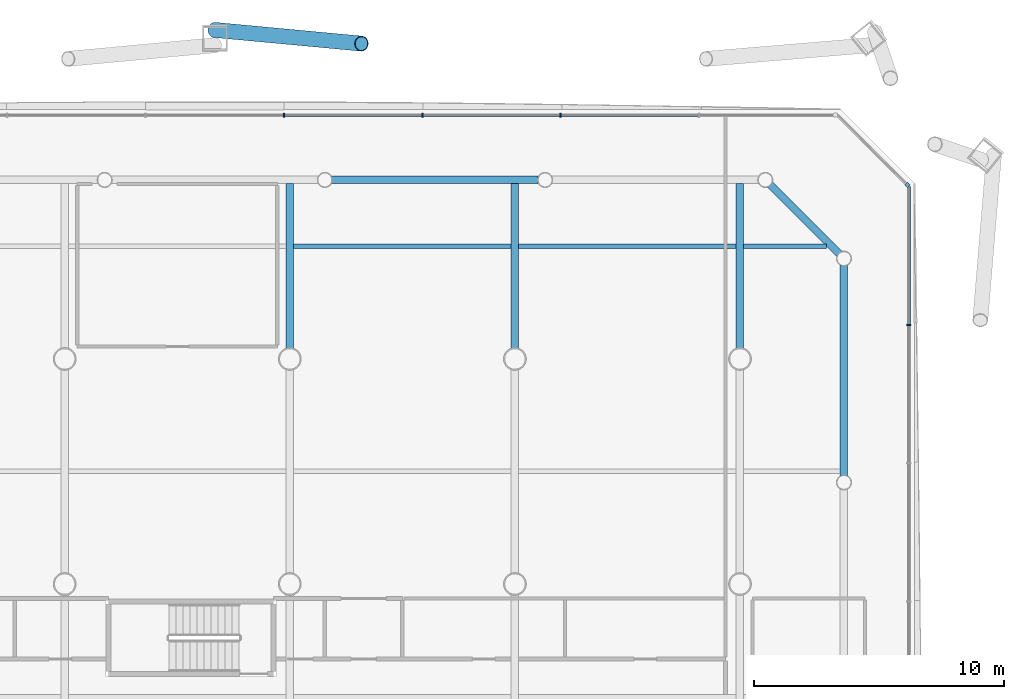
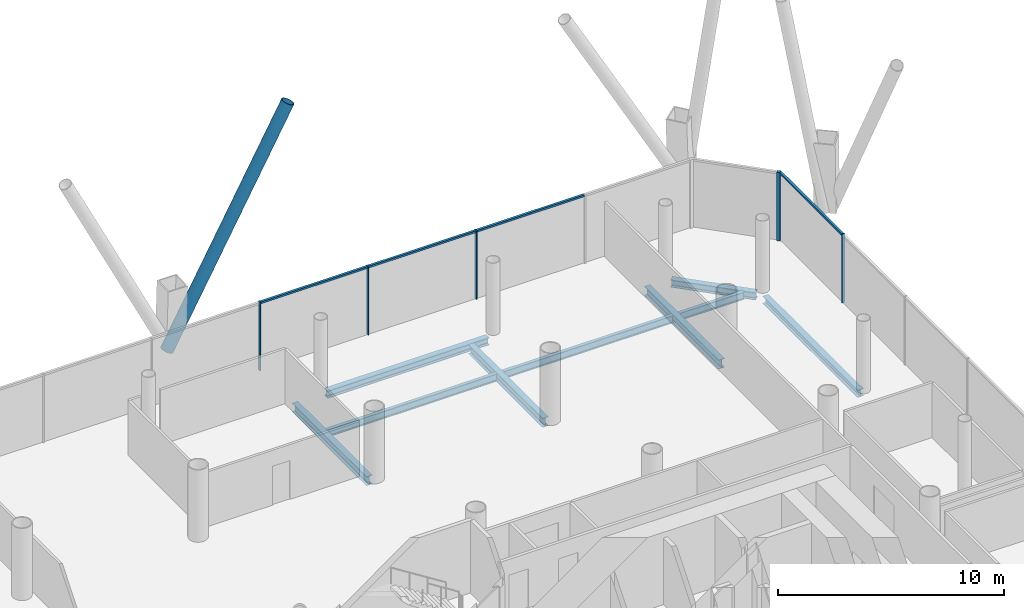
# One storey, part 14 of 25: 10 members, 9 beams, 3 elements without a shape of their own.
"""IFC4 building model written with IfcOpenShell, lengths in metres."""

from ifc_helpers import new_model, si_unit, direction, frame, origin, origin_2d, place, context, subcontext, project, spatial, rectangle, hollow_circle, i_section, extrude, material, material_profile, profile_set, type_object, element, aggregate, save


model = new_model("IFC4")

# Units and contexts
model_context = context("Model", 3, precision=1e-05, world=origin(), true_north=direction((0.0, 1.0)))
body_context = subcontext(model_context, "Body", "Model", "MODEL_VIEW")
ifc_project = project(units=[si_unit("LENGTHUNIT", "METRE"), si_unit("AREAUNIT", "SQUARE_METRE"), si_unit("VOLUMEUNIT", "CUBIC_METRE"), si_unit("PLANEANGLEUNIT", "RADIAN"), si_unit("MASSUNIT", "GRAM", prefix="KILO")], contexts=[model_context])

# Site, building, storey
site_placement = place(None, origin())
site = spatial("IfcSite", under=ifc_project, at=site_placement, CompositionType="ELEMENT")
building_placement = place(site_placement, origin())
building = spatial("IfcBuilding", under=site, at=building_placement, Name="Tskaro Facet Tower", CompositionType="ELEMENT")
storey_placement = place(building_placement, frame((0.0, 0.0, 10.800048828125)))
storey = spatial("IfcBuildingStorey", under=building, at=storey_placement, Name="L01", CompositionType="ELEMENT", Elevation=10.800048828125)

# Member
ifc_material_1 = material(Name="Steel S355J2H", Category="steel")
ifc_material_profile_1 = material_profile(ifc_material_1, hollow_circle(Radius=0.304931640625, WallThickness=0.030029296875, at=origin_2d()), Name="CHS 610x30")
ifc_profile_set_1 = profile_set([ifc_material_profile_1], Name="Steel S355J2H")
member_type_1 = type_object("IfcMemberType", Name="CHS 610x30 brace", PredefinedType="BRACE", material=ifc_profile_set_1)
member_1_placement = place(storey_placement, frame((-3.0, 31.155029296875, 0.0), z_axis=(0.447783743865, -0.041822472373, 0.893163254693), x_axis=(0.092994089186, 0.995666660774, 0.0)))
element("IfcMember", 1, at=member_1_placement, inside=storey, type_object=member_type_1, Name="CHS 610x30 XB07B/1", PredefinedType="BRACE", context=body_context, shape_type="SweptSolid", body=[
    extrude(hollow_circle(Radius=0.304931640625, WallThickness=0.030029296875, at=origin_2d()), origin(), (0.0, 0.0, 1.0), 13.099365234375),
])

# Curtain wall, member
ifc_material_2 = material(Name="Bronze anodised aluminium 6063-T6", Category="aluminium")
curtain_wall_type = type_object("IfcCurtainWallType", Name="Bronze office curtain wall (FW1)", PredefinedType="NOTDEFINED", material=ifc_material_2)
curtain_wall_1_placement = place(storey_placement, origin())
curtain_wall_1 = element("IfcCurtainWall", 2, at=curtain_wall_1_placement, inside=storey, type_object=curtain_wall_type, Name="FW1 north-east facet L01", PredefinedType="NOTDEFINED")
ifc_material_profile_2 = material_profile(ifc_material_2, rectangle(XDim=0.159912109375, YDim=0.159912109375, at=origin_2d()), Name="Corner post 160x160")
ifc_profile_set_2 = profile_set([ifc_material_profile_2], Name="Bronze anodised aluminium 6063-T6")
member_type_2 = type_object("IfcMemberType", Name="FW1 bronze corner post 160x160", PredefinedType="MULLION", material=ifc_profile_set_2)
member_2_placement = place(storey_placement, frame((24.693359375, 24.95263671875, 0.0), z_axis=(0.0, 0.0, 1.0), x_axis=(-0.707106781187, 0.707106781187, 0.0)))
member_2 = element("IfcMember", 3, at=member_2_placement, type_object=member_type_2, Name="FW1 north-east corner post", PredefinedType="MULLION", context=body_context, shape_type="SweptSolid", body=[
    extrude(rectangle(XDim=0.159912109375, YDim=0.159912109375, at=origin_2d()), origin(), (0.0, 0.0, 1.0), 3.699951171875),
])
aggregate(curtain_wall_1, [member_2])

curtain_wall_2_placement = place(storey_placement, origin())
curtain_wall_2 = element("IfcCurtainWall", 4, at=curtain_wall_2_placement, inside=storey, type_object=curtain_wall_type, Name="FW1 east facet L01", PredefinedType="NOTDEFINED")
ifc_material_profile_3 = material_profile(ifc_material_2, rectangle(XDim=0.06005859375, YDim=0.159912109375, at=origin_2d()), Name="Mullion 60x160")
ifc_profile_set_3 = profile_set([ifc_material_profile_3], Name="Bronze anodised aluminium 6063-T6")
member_type_3 = type_object("IfcMemberType", Name="FW1 bronze mullion 60x160", PredefinedType="MULLION", material=ifc_profile_set_3)
member_3_placement = place(storey_placement, frame((24.75, 19.363525390625, 0.0), z_axis=(0.0, 0.0, 1.0), x_axis=(0.0, 1.0, 0.0)))
member_3 = element("IfcMember", 5, at=member_3_placement, type_object=member_type_3, Name="FW1 east mullion 8", PredefinedType="MULLION", context=body_context, shape_type="SweptSolid", body=[
    extrude(rectangle(XDim=0.06005859375, YDim=0.159912109375, at=origin_2d()), origin(), (0.0, 0.0, 1.0), 3.699951171875),
])

# Curtain wall, members
curtain_wall_3_placement = place(storey_placement, origin())
curtain_wall_3 = element("IfcCurtainWall", 6, at=curtain_wall_3_placement, inside=storey, type_object=curtain_wall_type, Name="FW1 north facet L01", PredefinedType="NOTDEFINED")
member_4_placement = place(storey_placement, frame((10.8310546875, 27.75, 0.0), z_axis=(0.0, 0.0, 1.0), x_axis=(-1.0, 0.0, 0.0)))
member_4 = element("IfcMember", 7, at=member_4_placement, type_object=member_type_3, Name="FW1 north mullion 2", PredefinedType="MULLION", context=body_context, shape_type="SweptSolid", body=[
    extrude(rectangle(XDim=0.06005859375, YDim=0.159912109375, at=origin_2d()), origin(), (0.0, 0.0, 1.0), 3.699951171875),
])
member_5_placement = place(storey_placement, frame((5.298583984375, 27.75, 0.0), z_axis=(0.0, 0.0, 1.0), x_axis=(-1.0, 0.0, 0.0)))
member_5 = element("IfcMember", 8, at=member_5_placement, type_object=member_type_3, Name="FW1 north mullion 3", PredefinedType="MULLION", context=body_context, shape_type="SweptSolid", body=[
    extrude(rectangle(XDim=0.06005859375, YDim=0.159912109375, at=origin_2d()), origin(), (0.0, 0.0, 1.0), 3.699951171875),
])
member_6_placement = place(storey_placement, frame((-0.23388671875, 27.75, 0.0), z_axis=(0.0, 0.0, 1.0), x_axis=(-1.0, 0.0, 0.0)))
member_6 = element("IfcMember", 9, at=member_6_placement, type_object=member_type_3, Name="FW1 north mullion 4", PredefinedType="MULLION", context=body_context, shape_type="SweptSolid", body=[
    extrude(rectangle(XDim=0.06005859375, YDim=0.159912109375, at=origin_2d()), origin(), (0.0, 0.0, 1.0), 3.699951171875),
])

# Member
ifc_material_profile_4 = material_profile(ifc_material_2, rectangle(XDim=0.1201171875, YDim=0.10009765625, at=origin_2d()), Name="Transom 120x100")
ifc_profile_set_4 = profile_set([ifc_material_profile_4], Name="Bronze anodised aluminium 6063-T6")
member_type_4 = type_object("IfcMemberType", Name="FW1 bronze transom 120x100", PredefinedType="USERDEFINED", material=ifc_profile_set_4)
member_7_placement = place(storey_placement, frame((24.75, 19.3935546875, 3.64990234375), z_axis=(0.0, 1.0, 0.0), x_axis=(-1.0, 0.0, 0.0)))
member_7 = element("IfcMember", 10, at=member_7_placement, type_object=member_type_4, Name="FW1 east transom 9.1", ObjectType="TRANSOM", PredefinedType="USERDEFINED", context=body_context, shape_type="SweptSolid", body=[
    extrude(rectangle(XDim=0.1201171875, YDim=0.10009765625, at=origin_2d()), origin(), (0.0, 0.0, 1.0), 5.50244140625),
])

aggregate(curtain_wall_2, [member_3, member_7])

member_8_placement = place(storey_placement, frame((16.33349609375, 27.75, 3.64990234375), z_axis=(-1.0, 0.0, 0.0), x_axis=(0.0, -1.0, 0.0)))
member_8 = element("IfcMember", 11, at=member_8_placement, type_object=member_type_4, Name="FW1 north transom 2.1", ObjectType="TRANSOM", PredefinedType="USERDEFINED", context=body_context, shape_type="SweptSolid", body=[
    extrude(rectangle(XDim=0.1201171875, YDim=0.10009765625, at=origin_2d()), origin(), (0.0, 0.0, 1.0), 5.472412109375),
])

member_9_placement = place(storey_placement, frame((10.801025390625, 27.75, 3.64990234375), z_axis=(-1.0, 0.0, 0.0), x_axis=(0.0, -1.0, 0.0)))
member_9 = element("IfcMember", 12, at=member_9_placement, type_object=member_type_4, Name="FW1 north transom 3.1", ObjectType="TRANSOM", PredefinedType="USERDEFINED", context=body_context, shape_type="SweptSolid", body=[
    extrude(rectangle(XDim=0.1201171875, YDim=0.10009765625, at=origin_2d()), origin(), (0.0, 0.0, 1.0), 5.472412109375),
])

member_10_placement = place(storey_placement, frame((5.2685546875, 27.75, 3.64990234375), z_axis=(-1.0, 0.0, 0.0), x_axis=(0.0, -1.0, 0.0)))
member_10 = element("IfcMember", 13, at=member_10_placement, type_object=member_type_4, Name="FW1 north transom 4.1", ObjectType="TRANSOM", PredefinedType="USERDEFINED", context=body_context, shape_type="SweptSolid", body=[
    extrude(rectangle(XDim=0.1201171875, YDim=0.10009765625, at=origin_2d()), origin(), (0.0, 0.0, 1.0), 5.472412109375),
])

aggregate(curtain_wall_3, [member_4, member_5, member_6, member_8, member_9, member_10])

# Beams
ifc_material_3 = material(Name="Steel S355J2", Category="steel")
ifc_material_profile_5 = material_profile(ifc_material_3, i_section(OverallWidth=0.300048828125, OverallDepth=0.39990234375, WebThickness=0.013427734375, FlangeThickness=0.02392578125, FilletRadius=0.027099609375, at=origin_2d()), Name="HE 400 B")
ifc_profile_set_5 = profile_set([ifc_material_profile_5], Name="Steel S355J2")
beam_type_1 = type_object("IfcBeamType", Name="HE 400 B ring beam", PredefinedType="BEAM", material=ifc_profile_set_5)
beam_1_placement = place(storey_placement, frame((22.156982421875, 13.339111328125, -0.340087890625), z_axis=(0.0, 1.0, 0.0), x_axis=(-1.0, 0.0, 0.0)))
element("IfcBeam", 14, at=beam_1_placement, inside=storey, type_object=beam_type_1, Name="HE 400 B EB12-1", PredefinedType="BEAM", context=body_context, shape_type="SweptSolid", body=[
    extrude(i_section(OverallWidth=0.300048828125, OverallDepth=0.39990234375, WebThickness=0.013427734375, FlangeThickness=0.02392578125, FilletRadius=0.027099609375, at=origin_2d()), origin(), (0.0, 0.0, 1.0), 8.39794921875),
])
beam_2_placement = place(storey_placement, frame((21.962646484375, 22.20654296875, -0.340087890625), z_axis=(-0.707106781187, 0.707106781187, 0.0), x_axis=(-0.707106781187, -0.707106781187, 0.0)))
element("IfcBeam", 15, at=beam_2_placement, inside=storey, type_object=beam_type_1, Name="HE 400 B EB13-1", PredefinedType="BEAM", context=body_context, shape_type="SweptSolid", body=[
    extrude(i_section(OverallWidth=0.300048828125, OverallDepth=0.39990234375, WebThickness=0.013427734375, FlangeThickness=0.02392578125, FilletRadius=0.027099609375, at=origin_2d()), origin(), (0.0, 0.0, 1.0), 3.897705078125),
])
beam_3_placement = place(storey_placement, frame((9.931884765625, 25.156982421875, -0.340087890625), z_axis=(-1.0, 0.0, 0.0), x_axis=(0.0, -1.0, 0.0)))
element("IfcBeam", 16, at=beam_3_placement, inside=storey, type_object=beam_type_1, Name="HE 400 B EB15-1", PredefinedType="BEAM", context=body_context, shape_type="SweptSolid", body=[
    extrude(i_section(OverallWidth=0.300048828125, OverallDepth=0.39990234375, WebThickness=0.013427734375, FlangeThickness=0.02392578125, FilletRadius=0.027099609375, at=origin_2d()), origin(), (0.0, 0.0, 1.0), 8.2548828125),
])
ifc_material_profile_6 = material_profile(ifc_material_3, i_section(OverallWidth=0.300048828125, OverallDepth=0.489990234375, WebThickness=0.011962890625, FlangeThickness=0.02294921875, FilletRadius=0.027099609375, at=origin_2d()), Name="HE 500 A")
ifc_profile_set_6 = profile_set([ifc_material_profile_6], Name="Steel S355J2")
beam_type_2 = type_object("IfcBeamType", Name="HE 500 A girder", PredefinedType="BEAM", material=ifc_profile_set_6)
for number, where, z_axis, x_axis, name in (
    (17, (0.0, 18.42724609375, -0.385009765625), (0.0, 1.0, 0.0), (-1.0, 0.0, 0.0), "HE 500 A GB4-5-1"),
    (18, (9.0, 18.42724609375, -0.385009765625), (0.0, 1.0, 0.0), (-1.0, 0.0, 0.0), "HE 500 A GB5-5-1"),
    (19, (18.0, 18.42724609375, -0.385009765625), (0.0, 1.0, 0.0), (-1.0, 0.0, 0.0), "HE 500 A GB6-6-1"),
):
    element("IfcBeam", number, at=place(storey_placement, frame(where, z_axis=z_axis, x_axis=x_axis)), inside=storey, type_object=beam_type_2, Name=name, PredefinedType="BEAM", context=body_context, shape_type="SweptSolid", body=[
        extrude(i_section(OverallWidth=0.300048828125, OverallDepth=0.489990234375, WebThickness=0.011962890625, FlangeThickness=0.02294921875, FilletRadius=0.027099609375, at=origin_2d()), origin(), (0.0, 0.0, 1.0), 6.579833984375),
    ])
ifc_material_profile_7 = material_profile(ifc_material_3, i_section(OverallWidth=0.179931640625, OverallDepth=0.39990234375, WebThickness=0.008544921875, FlangeThickness=0.013427734375, FilletRadius=0.02099609375, at=origin_2d()), Name="IPE 400")
ifc_profile_set_7 = profile_set([ifc_material_profile_7], Name="Steel S355J2")
beam_type_3 = type_object("IfcBeamType", Name="IPE 400 secondary beam", PredefinedType="BEAM", material=ifc_profile_set_7)
for number, where, z_axis, x_axis, name in (
    (20, (0.14990234375, 22.5, -0.340087890625), (1.0, 0.0, 0.0), (0.0, 1.0, 0.0), "IPE 400 SB6a-4-1"),
    (21, (9.14990234375, 22.5, -0.340087890625), (1.0, 0.0, 0.0), (0.0, 1.0, 0.0), "IPE 400 SB6a-5-1"),
):
    element("IfcBeam", number, at=place(storey_placement, frame(where, z_axis=z_axis, x_axis=x_axis)), inside=storey, type_object=beam_type_3, Name=name, PredefinedType="BEAM", context=body_context, shape_type="SweptSolid", body=[
        extrude(i_section(OverallWidth=0.179931640625, OverallDepth=0.39990234375, WebThickness=0.008544921875, FlangeThickness=0.013427734375, FilletRadius=0.02099609375, at=origin_2d()), origin(), (0.0, 0.0, 1.0), 8.7001953125),
    ])
beam_4_placement = place(storey_placement, frame((18.14990234375, 22.5, -0.340087890625), z_axis=(1.0, 0.0, 0.0), x_axis=(0.0, 1.0, 0.0)))
element("IfcBeam", 22, at=beam_4_placement, inside=storey, type_object=beam_type_3, Name="IPE 400 SB6a-6-1", PredefinedType="BEAM", context=body_context, shape_type="SweptSolid", body=[
    extrude(i_section(OverallWidth=0.179931640625, OverallDepth=0.39990234375, WebThickness=0.008544921875, FlangeThickness=0.013427734375, FilletRadius=0.02099609375, at=origin_2d()), origin(), (0.0, 0.0, 1.0), 3.30712890625),
])

save(model, "model.ifc")
